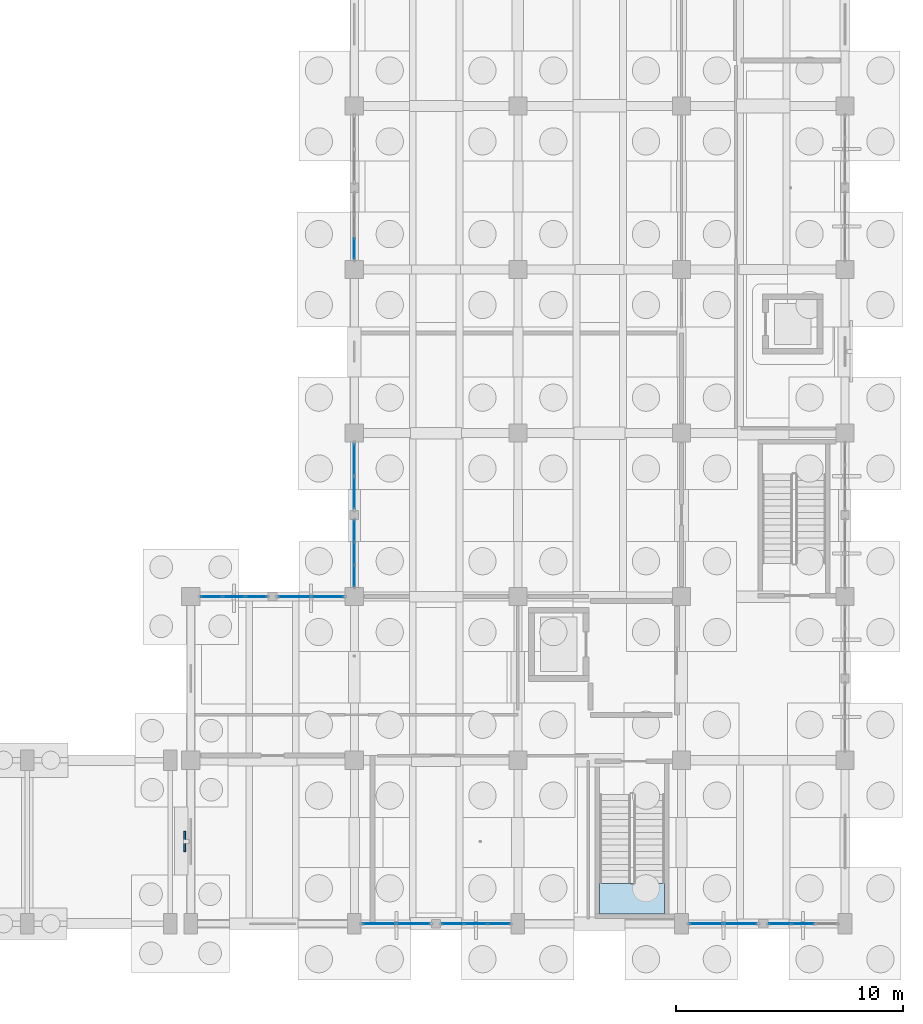
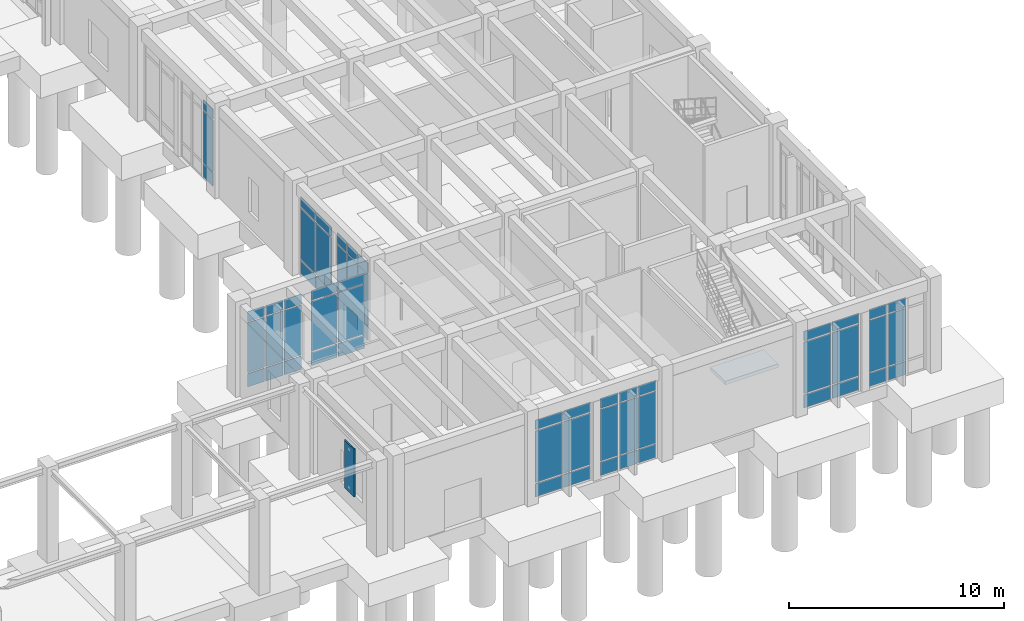
# One storey, part 56 of 93: 61 plates, 1 slab, 10 elements without a shape of their own.
"""IFC4 building model written with IfcOpenShell, lengths in metres."""

import ifcopenshell
import ifcopenshell.guid

model = None  # the IFC model being written
_history = None  # IfcOwnerHistory: only IFC2X3 demands one
_inside = {}  # id of a spatial element -> (the spatial element, [elements in it])
_under = {}  # id of a project, library or spatial element -> (it, [spatial elements below it])
_declared = {}  # id of a project -> (the project, [libraries it declares])
_typed = {}  # id of a type object -> (the type object, [elements of that type])
_made_of = {}  # id of a material, layer set ... -> (it, [elements and type objects made of it])


def new_model(schema):
    """Start an empty IFC model of exactly this schema.

    Asked for "IFC4X3", IfcOpenShell would pick the latest addendum, in which some entities
    have other attributes; the version numbers below select the first issue.
    IFC2X3 requires an IfcOwnerHistory on every rooted entity: one is made here for all.
    """
    global model, _history
    if schema == "IFC4X3":
        model = ifcopenshell.file(schema_version=(4, 3, 0, 0))
    else:
        model = ifcopenshell.file(schema=schema)
    _inside.clear()
    _under.clear()
    _declared.clear()
    _typed.clear()
    _made_of.clear()
    _history = None
    if model.schema == "IFC2X3":
        org = make("IfcOrganization", Name="unknown")
        user = make(
            "IfcPersonAndOrganization",
            ThePerson=make("IfcPerson", FamilyName="unknown"),
            TheOrganization=org,
        )
        app = make(
            "IfcApplication",
            ApplicationDeveloper=org,
            Version="unknown",
            ApplicationFullName="unknown",
            ApplicationIdentifier="unknown",
        )
        _history = make(
            "IfcOwnerHistory",
            OwningUser=user,
            OwningApplication=app,
            ChangeAction="ADDED",
            CreationDate=0,
        )
    return model


def make(cls, **values):
    """One entity of the class cls with the attributes given. An attribute that is None is left unset."""
    return model.create_entity(
        cls, **{name: value for name, value in values.items() if value is not None}
    )


def rooted(cls, **values):
    """An entity with a GlobalId (a new one), such as an element, a storey or a relation."""
    return make(cls, GlobalId=ifcopenshell.guid.new(), OwnerHistory=_history, **values)


def si_unit(unit_type, name, prefix=None):
    """IfcSIUnit, for example si_unit("LENGTHUNIT", "METRE", prefix="MILLI")."""
    return make("IfcSIUnit", UnitType=unit_type, Prefix=prefix, Name=name)


def assignment(units):
    """IfcUnitAssignment: the units of a project."""
    return None if units is None else make("IfcUnitAssignment", Units=units)


def point(xyz):
    """IfcCartesianPoint."""
    return None if xyz is None else make("IfcCartesianPoint", Coordinates=xyz)


def direction(xyz):
    """IfcDirection."""
    return None if xyz is None else make("IfcDirection", DirectionRatios=xyz)


def frame(location, z_axis=None, x_axis=None):
    """IfcAxis2Placement3D, a coordinate frame: its origin and axes. An axis left out is left unset."""
    return make(
        "IfcAxis2Placement3D",
        Location=point(location),
        Axis=direction(z_axis),
        RefDirection=direction(x_axis),
    )


def frame_2d(location, x_axis=None):
    """IfcAxis2Placement2D, a coordinate frame in the plane: its origin and x axis."""
    return make(
        "IfcAxis2Placement2D", Location=point(location), RefDirection=direction(x_axis)
    )


def origin():
    """The frame at (0, 0, 0) with its axes left unset."""
    return frame((0.0, 0.0, 0.0))


def origin_2d():
    """The frame at (0, 0) in the plane with its x axis left unset."""
    return frame_2d((0.0, 0.0))


def place(relative_to, where):
    """IfcLocalPlacement: puts the frame where relative to a parent placement (None: the world)."""
    return make(
        "IfcLocalPlacement", PlacementRelTo=relative_to, RelativePlacement=where
    )


def context(
    kind, dimensions, precision=None, world=None, true_north=None, identifier=None
):
    """IfcGeometricRepresentationContext, for example the 3D "Model" context."""
    return make(
        "IfcGeometricRepresentationContext",
        ContextIdentifier=identifier,
        ContextType=kind,
        CoordinateSpaceDimension=dimensions,
        Precision=precision,
        WorldCoordinateSystem=world,
        TrueNorth=true_north,
    )


def subcontext(parent, identifier, kind, view, scale=None):
    """IfcGeometricRepresentationSubContext, for example "Body" below "Model"."""
    return make(
        "IfcGeometricRepresentationSubContext",
        ContextIdentifier=identifier,
        ContextType=kind,
        ParentContext=parent,
        TargetScale=scale,
        TargetView=view,
    )


def project(units=None, contexts=None):
    """IfcProject with its units and contexts."""
    return rooted(
        "IfcProject",
        Name="project",
        RepresentationContexts=contexts,
        UnitsInContext=assignment(units),
    )


def spatial(cls, under=None, at=None, **own):
    """A site, building, storey or space (cls), placed at a placement, below another one or the project."""
    s = rooted(cls, ObjectPlacement=at, **own)
    if under is not None:
        _under.setdefault(under.id(), (under, []))[1].append(s)
    return s


def polyline(points):
    """IfcPolyline through the points."""
    return make("IfcPolyline", Points=[point(p) for p in points])


def profile(cls, at=None, kind="AREA", **sizes):
    """A parametric profile (cls). Its sizes go by their IFC names, for example OverallWidth=200.0."""
    return make(cls, ProfileType=kind, Position=at, **sizes)


def rectangle(**sizes):
    """IfcRectangleProfileDef."""
    return profile("IfcRectangleProfileDef", **sizes)


def outline(outer, holes=None, kind="AREA"):
    """IfcArbitraryClosedProfileDef: a profile drawn as a closed curve; with holes, ...WithVoids."""
    if holes is None:
        return make("IfcArbitraryClosedProfileDef", ProfileType=kind, OuterCurve=outer)
    return make(
        "IfcArbitraryProfileDefWithVoids",
        ProfileType=kind,
        OuterCurve=outer,
        InnerCurves=holes,
    )


def extrude(swept, where, along, depth):
    """IfcExtrudedAreaSolid: the profile swept, set in the frame where, extruded along a direction by depth."""
    return make(
        "IfcExtrudedAreaSolid",
        SweptArea=swept,
        Position=where,
        ExtrudedDirection=direction(along),
        Depth=depth,
    )


def shape(context_of_items, identifier, shape_type, items):
    """IfcShapeRepresentation: the items that make up one representation, for example the "Body"."""
    return make(
        "IfcShapeRepresentation",
        ContextOfItems=context_of_items,
        RepresentationIdentifier=identifier,
        RepresentationType=shape_type,
        Items=items,
    )


def material(Name=None, Category=None):
    """IfcMaterial."""
    return make("IfcMaterial", Name=Name, Category=Category)


def layer(
    of_material, thickness, ventilated=None, Name=None, Category=None, Priority=None
):
    """IfcMaterialLayer: one layer of a wall or slab, of a material (None: an air gap)."""
    return make(
        "IfcMaterialLayer",
        Material=of_material,
        LayerThickness=thickness,
        IsVentilated=ventilated,
        Name=Name,
        Category=Category,
        Priority=Priority,
    )


def layer_set(layers, Name=None):
    """IfcMaterialLayerSet."""
    return make("IfcMaterialLayerSet", MaterialLayers=layers, LayerSetName=Name)


def made_of(thing, what):
    """Note that an element or type object is made of a material, layer set ...; save() writes the relation."""
    if what is not None:
        _made_of.setdefault(what.id(), (what, []))[1].append(thing)
    return thing


def type_object(cls, material=None, **own):
    """A type object (cls), such as IfcWallType, which elements share."""
    return made_of(rooted(cls, **own), material)


def element(
    cls,
    number,
    at=None,
    inside=None,
    cuts=None,
    type_object=None,
    material=None,
    context=None,
    identifier="Body",
    shape_type=None,
    held_by="IfcProductDefinitionShape",
    body=None,
    shapes=None,
    **own,
):
    """One element of the class cls, such as IfcWall. Its Tag is "e" and its number.

    at: its placement. inside: the storey or other place that contains it. cuts: it is an
    opening in that element (IfcRelVoidsElement). A single representation is given by context,
    identifier, shape_type and body (its items); several are given by shapes. held_by: the class
    of the entity that holds the representations. save() writes the other relations.
    """
    e = rooted(cls, Tag="e%d" % number, ObjectPlacement=at, **own)
    if body is not None:
        shapes = [shape(context, identifier, shape_type, body)]
    if shapes is not None:
        e.Representation = make(held_by, Representations=shapes)
    if inside is not None:
        _inside.setdefault(inside.id(), (inside, []))[1].append(e)
    if cuts is not None:
        rooted(
            "IfcRelVoidsElement", RelatingBuildingElement=cuts, RelatedOpeningElement=e
        )
    if type_object is not None:
        _typed.setdefault(type_object.id(), (type_object, []))[1].append(e)
    return made_of(e, material)


def aggregate(whole, parts):
    """IfcRelAggregates: a whole, such as a stair, and the parts it consists of."""
    return rooted("IfcRelAggregates", RelatingObject=whole, RelatedObjects=parts)


def save(model, path):
    """Write the relations noted so far, then the file.

    IfcRelAggregates (storeys below a building ...), IfcRelContainedInSpatialStructure (elements
    in a storey), IfcRelDefinesByType, IfcRelAssociatesMaterial and IfcRelDeclares: one each for
    every whole, place, type object, material and project.
    """
    for whole, parts in _under.values():
        aggregate(whole, parts)
    for where, things in _inside.values():
        rooted(
            "IfcRelContainedInSpatialStructure",
            RelatedElements=things,
            RelatingStructure=where,
        )
    for kind, things in _typed.values():
        rooted("IfcRelDefinesByType", RelatedObjects=things, RelatingType=kind)
    for what, things in _made_of.values():
        rooted("IfcRelAssociatesMaterial", RelatedObjects=things, RelatingMaterial=what)
    for by, libraries in _declared.values():
        rooted("IfcRelDeclares", RelatingContext=by, RelatedDefinitions=libraries)
    model.write(path)


model = new_model("IFC4")

# Units and contexts
model_context = context("Model", 3, precision=1e-05, world=origin(), true_north=direction((0.0, 1.0)))
body_context = subcontext(model_context, "Body", "Model", "MODEL_VIEW")
ifc_project = project(units=[si_unit("LENGTHUNIT", "METRE"), si_unit("AREAUNIT", "SQUARE_METRE"), si_unit("VOLUMEUNIT", "CUBIC_METRE"), si_unit("PLANEANGLEUNIT", "RADIAN"), si_unit("MASSUNIT", "GRAM", prefix="KILO")], contexts=[model_context])

# Site, building, storey
site_placement = place(None, origin())
site = spatial("IfcSite", under=ifc_project, at=site_placement, CompositionType="ELEMENT")
building_placement = place(site_placement, origin())
building = spatial("IfcBuilding", under=site, at=building_placement, Name="Koriwan Promenade Central Fire Station", CompositionType="ELEMENT")
storey_placement = place(building_placement, origin())
storey = spatial("IfcBuildingStorey", under=building, at=storey_placement, Name="L00", CompositionType="ELEMENT", Elevation=0.0)

# Curtain wall, plates
ifc_material_1 = material(Name="Aluminium EN AW-6063-T6 and low-E glazing", Category="aluminium")
ifc_layer_1 = layer(ifc_material_1, 0.159912109375, Name="Aluminium EN AW-6063-T6 and low-E glazing")
ifc_layer_set_1 = layer_set([ifc_layer_1], Name="Aluminium EN AW-6063-T6 and low-E glazing")
curtain_wall_type_1 = type_object("IfcCurtainWallType", Name="CurtainWall_48_310x449", PredefinedType="USERDEFINED", material=ifc_layer_set_1)
curtain_wall_1_placement = place(storey_placement, origin())
curtain_wall_1 = element("IfcCurtainWall", 1, at=curtain_wall_1_placement, inside=storey, type_object=curtain_wall_type_1, Name="V5 L00 unitised curtain wall 129", ObjectType="UNITISED CURTAIN WALL", PredefinedType="USERDEFINED")
ifc_material_2 = material(Name="Blast-resistant laminated safety glazing", Category="glass")
ifc_layer_2 = layer(ifc_material_2, 0.035888671875, Name="Blast-resistant laminated safety glazing")
ifc_layer_set_2 = layer_set([ifc_layer_2], Name="Blast-resistant laminated safety glazing")
plate_type_1 = type_object("IfcPlateType", Name="CWPanel_36", PredefinedType="CURTAIN_PANEL", material=ifc_layer_set_2)
plate_1_placement = place(storey_placement, frame((170.949951171875, 0.0, 0.06494140625), z_axis=(0.0, 0.0, 1.0), x_axis=(-1.0, 0.0, 0.0)))
plate_1 = element("IfcPlate", 2, at=plate_1_placement, type_object=plate_type_1, Name="CW-48 panel 2.1", PredefinedType="CURTAIN_PANEL", context=body_context, shape_type="SweptSolid", body=[
    extrude(rectangle(XDim=0.96826171875, YDim=0.035888671875, at=origin_2d()), origin(), (0.0, 0.0, 1.0), 0.75244140625),
])
plate_2_placement = place(storey_placement, frame((170.949951171875, 0.0, 0.88232421875), z_axis=(0.0, 0.0, 1.0), x_axis=(-1.0, 0.0, 0.0)))
plate_2 = element("IfcPlate", 3, at=plate_2_placement, type_object=plate_type_1, Name="CW-48 panel 2.2", PredefinedType="CURTAIN_PANEL", context=body_context, shape_type="SweptSolid", body=[
    extrude(rectangle(XDim=0.96826171875, YDim=0.035888671875, at=origin_2d()), origin(), (0.0, 0.0, 1.0), 2.925048828125),
])
plate_3_placement = place(storey_placement, frame((170.949951171875, 0.0, 3.87255859375), z_axis=(0.0, 0.0, 1.0), x_axis=(-1.0, 0.0, 0.0)))
plate_3 = element("IfcPlate", 4, at=plate_3_placement, type_object=plate_type_1, Name="CW-48 panel 2.3", PredefinedType="CURTAIN_PANEL", context=body_context, shape_type="SweptSolid", body=[
    extrude(rectangle(XDim=0.96826171875, YDim=0.035888671875, at=origin_2d()), origin(), (0.0, 0.0, 1.0), 0.552490234375),
])
plate_4_placement = place(storey_placement, frame((169.932861328125, 0.0, 0.06494140625), z_axis=(0.0, 0.0, 1.0), x_axis=(-1.0, 0.0, 0.0)))
plate_4 = element("IfcPlate", 5, at=plate_4_placement, type_object=plate_type_1, Name="CW-48 panel 3.1", PredefinedType="CURTAIN_PANEL", context=body_context, shape_type="SweptSolid", body=[
    extrude(rectangle(XDim=0.935791015625, YDim=0.035888671875, at=origin_2d()), origin(), (0.0, 0.0, 1.0), 0.75244140625),
])
plate_5_placement = place(storey_placement, frame((169.932861328125, 0.0, 0.88232421875), z_axis=(0.0, 0.0, 1.0), x_axis=(-1.0, 0.0, 0.0)))
plate_5 = element("IfcPlate", 6, at=plate_5_placement, type_object=plate_type_1, Name="CW-48 panel 3.2", PredefinedType="CURTAIN_PANEL", context=body_context, shape_type="SweptSolid", body=[
    extrude(rectangle(XDim=0.935791015625, YDim=0.035888671875, at=origin_2d()), origin(), (0.0, 0.0, 1.0), 2.925048828125),
])
plate_6_placement = place(storey_placement, frame((169.932861328125, 0.0, 3.87255859375), z_axis=(0.0, 0.0, 1.0), x_axis=(-1.0, 0.0, 0.0)))
plate_6 = element("IfcPlate", 7, at=plate_6_placement, type_object=plate_type_1, Name="CW-48 panel 3.3", PredefinedType="CURTAIN_PANEL", context=body_context, shape_type="SweptSolid", body=[
    extrude(rectangle(XDim=0.935791015625, YDim=0.035888671875, at=origin_2d()), origin(), (0.0, 0.0, 1.0), 0.552490234375),
])
aggregate(curtain_wall_1, [plate_1, plate_2, plate_3, plate_4, plate_5, plate_6])

ifc_layer_3 = layer(ifc_material_1, 0.159912109375, Name="Aluminium EN AW-6063-T6 and low-E glazing")
ifc_layer_set_3 = layer_set([ifc_layer_3], Name="Aluminium EN AW-6063-T6 and low-E glazing")
curtain_wall_type_2 = type_object("IfcCurtainWallType", Name="CurtainWall_39_310x449", PredefinedType="USERDEFINED", material=ifc_layer_set_3)
curtain_wall_2_placement = place(storey_placement, origin())
curtain_wall_2 = element("IfcCurtainWall", 8, at=curtain_wall_2_placement, inside=storey, type_object=curtain_wall_type_2, Name="V5 L00 unitised curtain wall 130", ObjectType="UNITISED CURTAIN WALL", PredefinedType="USERDEFINED")
plate_7_placement = place(storey_placement, frame((168.206298828125, 0.0, 0.0751953125), z_axis=(0.0, 0.0, 1.0), x_axis=(-1.0, 0.0, 0.0)))
plate_7 = element("IfcPlate", 9, at=plate_7_placement, type_object=plate_type_1, Name="CW-39 panel 1.1", PredefinedType="CURTAIN_PANEL", context=body_context, shape_type="SweptSolid", body=[
    extrude(rectangle(XDim=1.4375, YDim=0.035888671875, at=origin_2d()), origin(), (0.0, 0.0, 1.0), 0.737548828125),
])
plate_8_placement = place(storey_placement, frame((168.206298828125, 0.0, 0.887451171875), z_axis=(0.0, 0.0, 1.0), x_axis=(-1.0, 0.0, 0.0)))
plate_8 = element("IfcPlate", 10, at=plate_8_placement, type_object=plate_type_1, Name="CW-39 panel 1.2", PredefinedType="CURTAIN_PANEL", context=body_context, shape_type="SweptSolid", body=[
    extrude(rectangle(XDim=1.4375, YDim=0.035888671875, at=origin_2d()), origin(), (0.0, 0.0, 1.0), 2.9150390625),
])
plate_9_placement = place(storey_placement, frame((168.206298828125, 0.0, 3.87744140625), z_axis=(0.0, 0.0, 1.0), x_axis=(-1.0, 0.0, 0.0)))
plate_9 = element("IfcPlate", 11, at=plate_9_placement, type_object=plate_type_1, Name="CW-39 panel 1.3", PredefinedType="CURTAIN_PANEL", context=body_context, shape_type="SweptSolid", body=[
    extrude(rectangle(XDim=1.4375, YDim=0.035888671875, at=origin_2d()), origin(), (0.0, 0.0, 1.0), 0.53759765625),
])
plate_10_placement = place(storey_placement, frame((166.69384765625, 0.0, 0.0751953125), z_axis=(0.0, 0.0, 1.0), x_axis=(-1.0, 0.0, 0.0)))
plate_10 = element("IfcPlate", 12, at=plate_10_placement, type_object=plate_type_1, Name="CW-39 panel 2.1", PredefinedType="CURTAIN_PANEL", context=body_context, shape_type="SweptSolid", body=[
    extrude(rectangle(XDim=1.4375, YDim=0.035888671875, at=origin_2d()), origin(), (0.0, 0.0, 1.0), 0.737548828125),
])
plate_11_placement = place(storey_placement, frame((166.69384765625, 0.0, 0.887451171875), z_axis=(0.0, 0.0, 1.0), x_axis=(-1.0, 0.0, 0.0)))
plate_11 = element("IfcPlate", 13, at=plate_11_placement, type_object=plate_type_1, Name="CW-39 panel 2.2", PredefinedType="CURTAIN_PANEL", context=body_context, shape_type="SweptSolid", body=[
    extrude(rectangle(XDim=1.4375, YDim=0.035888671875, at=origin_2d()), origin(), (0.0, 0.0, 1.0), 2.9150390625),
])
plate_12_placement = place(storey_placement, frame((166.69384765625, 0.0, 3.87744140625), z_axis=(0.0, 0.0, 1.0), x_axis=(-1.0, 0.0, 0.0)))
plate_12 = element("IfcPlate", 14, at=plate_12_placement, type_object=plate_type_1, Name="CW-39 panel 2.3", PredefinedType="CURTAIN_PANEL", context=body_context, shape_type="SweptSolid", body=[
    extrude(rectangle(XDim=1.4375, YDim=0.035888671875, at=origin_2d()), origin(), (0.0, 0.0, 1.0), 0.53759765625),
])
aggregate(curtain_wall_2, [plate_7, plate_8, plate_9, plate_10, plate_11, plate_12])

curtain_wall_3_placement = place(storey_placement, origin())
curtain_wall_3 = element("IfcCurtainWall", 15, at=curtain_wall_3_placement, inside=storey, type_object=curtain_wall_type_1, Name="V5 L00 unitised curtain wall 131", ObjectType="UNITISED CURTAIN WALL", PredefinedType="USERDEFINED")
plate_13_placement = place(storey_placement, frame((157.567138671875, 0.0, 0.06494140625), z_axis=(0.0, 0.0, 1.0), x_axis=(-1.0, 0.0, 0.0)))
plate_13 = element("IfcPlate", 16, at=plate_13_placement, type_object=plate_type_1, Name="CW-48 panel 1.1", PredefinedType="CURTAIN_PANEL", context=body_context, shape_type="SweptSolid", body=[
    extrude(rectangle(XDim=0.935791015625, YDim=0.035888671875, at=origin_2d()), origin(), (0.0, 0.0, 1.0), 0.75244140625),
])
plate_14_placement = place(storey_placement, frame((157.567138671875, 0.0, 0.88232421875), z_axis=(0.0, 0.0, 1.0), x_axis=(-1.0, 0.0, 0.0)))
plate_14 = element("IfcPlate", 17, at=plate_14_placement, type_object=plate_type_1, Name="CW-48 panel 1.2", PredefinedType="CURTAIN_PANEL", context=body_context, shape_type="SweptSolid", body=[
    extrude(rectangle(XDim=0.935791015625, YDim=0.035888671875, at=origin_2d()), origin(), (0.0, 0.0, 1.0), 2.925048828125),
])
plate_15_placement = place(storey_placement, frame((157.567138671875, 0.0, 3.87255859375), z_axis=(0.0, 0.0, 1.0), x_axis=(-1.0, 0.0, 0.0)))
plate_15 = element("IfcPlate", 18, at=plate_15_placement, type_object=plate_type_1, Name="CW-48 panel 1.3", PredefinedType="CURTAIN_PANEL", context=body_context, shape_type="SweptSolid", body=[
    extrude(rectangle(XDim=0.935791015625, YDim=0.035888671875, at=origin_2d()), origin(), (0.0, 0.0, 1.0), 0.552490234375),
])
plate_16_placement = place(storey_placement, frame((156.550048828125, 0.0, 0.06494140625), z_axis=(0.0, 0.0, 1.0), x_axis=(-1.0, 0.0, 0.0)))
plate_16 = element("IfcPlate", 19, at=plate_16_placement, type_object=plate_type_1, Name="CW-48 panel 2.1", PredefinedType="CURTAIN_PANEL", context=body_context, shape_type="SweptSolid", body=[
    extrude(rectangle(XDim=0.96826171875, YDim=0.035888671875, at=origin_2d()), origin(), (0.0, 0.0, 1.0), 0.75244140625),
])
plate_17_placement = place(storey_placement, frame((156.550048828125, 0.0, 0.88232421875), z_axis=(0.0, 0.0, 1.0), x_axis=(-1.0, 0.0, 0.0)))
plate_17 = element("IfcPlate", 20, at=plate_17_placement, type_object=plate_type_1, Name="CW-48 panel 2.2", PredefinedType="CURTAIN_PANEL", context=body_context, shape_type="SweptSolid", body=[
    extrude(rectangle(XDim=0.96826171875, YDim=0.035888671875, at=origin_2d()), origin(), (0.0, 0.0, 1.0), 2.925048828125),
])
plate_18_placement = place(storey_placement, frame((156.550048828125, 0.0, 3.87255859375), z_axis=(0.0, 0.0, 1.0), x_axis=(-1.0, 0.0, 0.0)))
plate_18 = element("IfcPlate", 21, at=plate_18_placement, type_object=plate_type_1, Name="CW-48 panel 2.3", PredefinedType="CURTAIN_PANEL", context=body_context, shape_type="SweptSolid", body=[
    extrude(rectangle(XDim=0.96826171875, YDim=0.035888671875, at=origin_2d()), origin(), (0.0, 0.0, 1.0), 0.552490234375),
])
plate_19_placement = place(storey_placement, frame((155.532958984375, 0.0, 0.06494140625), z_axis=(0.0, 0.0, 1.0), x_axis=(-1.0, 0.0, 0.0)))
plate_19 = element("IfcPlate", 22, at=plate_19_placement, type_object=plate_type_1, Name="CW-48 panel 3.1", PredefinedType="CURTAIN_PANEL", context=body_context, shape_type="SweptSolid", body=[
    extrude(rectangle(XDim=0.935791015625, YDim=0.035888671875, at=origin_2d()), origin(), (0.0, 0.0, 1.0), 0.75244140625),
])
plate_20_placement = place(storey_placement, frame((155.532958984375, 0.0, 0.88232421875), z_axis=(0.0, 0.0, 1.0), x_axis=(-1.0, 0.0, 0.0)))
plate_20 = element("IfcPlate", 23, at=plate_20_placement, type_object=plate_type_1, Name="CW-48 panel 3.2", PredefinedType="CURTAIN_PANEL", context=body_context, shape_type="SweptSolid", body=[
    extrude(rectangle(XDim=0.935791015625, YDim=0.035888671875, at=origin_2d()), origin(), (0.0, 0.0, 1.0), 2.925048828125),
])
plate_21_placement = place(storey_placement, frame((155.532958984375, 0.0, 3.87255859375), z_axis=(0.0, 0.0, 1.0), x_axis=(-1.0, 0.0, 0.0)))
plate_21 = element("IfcPlate", 24, at=plate_21_placement, type_object=plate_type_1, Name="CW-48 panel 3.3", PredefinedType="CURTAIN_PANEL", context=body_context, shape_type="SweptSolid", body=[
    extrude(rectangle(XDim=0.935791015625, YDim=0.035888671875, at=origin_2d()), origin(), (0.0, 0.0, 1.0), 0.552490234375),
])
aggregate(curtain_wall_3, [plate_13, plate_14, plate_15, plate_16, plate_17, plate_18, plate_19, plate_20, plate_21])

curtain_wall_4_placement = place(storey_placement, origin())
curtain_wall_4 = element("IfcCurtainWall", 25, at=curtain_wall_4_placement, inside=storey, type_object=curtain_wall_type_2, Name="V5 L00 unitised curtain wall 132", ObjectType="UNITISED CURTAIN WALL", PredefinedType="USERDEFINED")
plate_22_placement = place(storey_placement, frame((153.80615234375, 0.0, 0.0751953125), z_axis=(0.0, 0.0, 1.0), x_axis=(-1.0, 0.0, 0.0)))
plate_22 = element("IfcPlate", 26, at=plate_22_placement, type_object=plate_type_1, Name="CW-39 panel 1.1", PredefinedType="CURTAIN_PANEL", context=body_context, shape_type="SweptSolid", body=[
    extrude(rectangle(XDim=1.4375, YDim=0.035888671875, at=origin_2d()), origin(), (0.0, 0.0, 1.0), 0.737548828125),
])
plate_23_placement = place(storey_placement, frame((153.80615234375, 0.0, 0.887451171875), z_axis=(0.0, 0.0, 1.0), x_axis=(-1.0, 0.0, 0.0)))
plate_23 = element("IfcPlate", 27, at=plate_23_placement, type_object=plate_type_1, Name="CW-39 panel 1.2", PredefinedType="CURTAIN_PANEL", context=body_context, shape_type="SweptSolid", body=[
    extrude(rectangle(XDim=1.4375, YDim=0.035888671875, at=origin_2d()), origin(), (0.0, 0.0, 1.0), 2.9150390625),
])
plate_24_placement = place(storey_placement, frame((153.80615234375, 0.0, 3.87744140625), z_axis=(0.0, 0.0, 1.0), x_axis=(-1.0, 0.0, 0.0)))
plate_24 = element("IfcPlate", 28, at=plate_24_placement, type_object=plate_type_1, Name="CW-39 panel 1.3", PredefinedType="CURTAIN_PANEL", context=body_context, shape_type="SweptSolid", body=[
    extrude(rectangle(XDim=1.4375, YDim=0.035888671875, at=origin_2d()), origin(), (0.0, 0.0, 1.0), 0.53759765625),
])
plate_25_placement = place(storey_placement, frame((152.293701171875, 0.0, 0.0751953125), z_axis=(0.0, 0.0, 1.0), x_axis=(-1.0, 0.0, 0.0)))
plate_25 = element("IfcPlate", 29, at=plate_25_placement, type_object=plate_type_1, Name="CW-39 panel 2.1", PredefinedType="CURTAIN_PANEL", context=body_context, shape_type="SweptSolid", body=[
    extrude(rectangle(XDim=1.4375, YDim=0.035888671875, at=origin_2d()), origin(), (0.0, 0.0, 1.0), 0.737548828125),
])
plate_26_placement = place(storey_placement, frame((152.293701171875, 0.0, 0.887451171875), z_axis=(0.0, 0.0, 1.0), x_axis=(-1.0, 0.0, 0.0)))
plate_26 = element("IfcPlate", 30, at=plate_26_placement, type_object=plate_type_1, Name="CW-39 panel 2.2", PredefinedType="CURTAIN_PANEL", context=body_context, shape_type="SweptSolid", body=[
    extrude(rectangle(XDim=1.4375, YDim=0.035888671875, at=origin_2d()), origin(), (0.0, 0.0, 1.0), 2.9150390625),
])
plate_27_placement = place(storey_placement, frame((152.293701171875, 0.0, 3.87744140625), z_axis=(0.0, 0.0, 1.0), x_axis=(-1.0, 0.0, 0.0)))
plate_27 = element("IfcPlate", 31, at=plate_27_placement, type_object=plate_type_1, Name="CW-39 panel 2.3", PredefinedType="CURTAIN_PANEL", context=body_context, shape_type="SweptSolid", body=[
    extrude(rectangle(XDim=1.4375, YDim=0.035888671875, at=origin_2d()), origin(), (0.0, 0.0, 1.0), 0.53759765625),
])
aggregate(curtain_wall_4, [plate_22, plate_23, plate_24, plate_25, plate_26, plate_27])

ifc_layer_4 = layer(ifc_material_1, 0.159912109375, Name="Aluminium EN AW-6063-T6 and low-E glazing")
ifc_layer_set_4 = layer_set([ifc_layer_4], Name="Aluminium EN AW-6063-T6 and low-E glazing")
curtain_wall_type_3 = type_object("IfcCurtainWallType", Name="CurtainWall_49_300x439", PredefinedType="USERDEFINED", material=ifc_layer_set_4)
curtain_wall_5_placement = place(storey_placement, origin())
curtain_wall_5 = element("IfcCurtainWall", 32, at=curtain_wall_5_placement, inside=storey, type_object=curtain_wall_type_3, Name="V5 L00 unitised curtain wall 133", ObjectType="UNITISED CURTAIN WALL", PredefinedType="USERDEFINED")
plate_28_placement = place(storey_placement, frame((144.916259765625, 14.39990234375, 0.06494140625), z_axis=(0.0, 0.0, 1.0), x_axis=(1.0, 0.0, 0.0)))
plate_28 = element("IfcPlate", 33, at=plate_28_placement, type_object=plate_type_1, Name="CW-49 panel 1.1", PredefinedType="CURTAIN_PANEL", context=body_context, shape_type="SweptSolid", body=[
    extrude(rectangle(XDim=0.902587890625, YDim=0.035888671875, at=origin_2d()), origin(), (0.0, 0.0, 1.0), 0.75244140625),
])
plate_29_placement = place(storey_placement, frame((144.916259765625, 14.39990234375, 0.88232421875), z_axis=(0.0, 0.0, 1.0), x_axis=(1.0, 0.0, 0.0)))
plate_29 = element("IfcPlate", 34, at=plate_29_placement, type_object=plate_type_1, Name="CW-49 panel 1.2", PredefinedType="CURTAIN_PANEL", context=body_context, shape_type="SweptSolid", body=[
    extrude(rectangle(XDim=0.902587890625, YDim=0.035888671875, at=origin_2d()), origin(), (0.0, 0.0, 1.0), 2.824951171875),
])
plate_30_placement = place(storey_placement, frame((144.916259765625, 14.39990234375, 3.7724609375), z_axis=(0.0, 0.0, 1.0), x_axis=(1.0, 0.0, 0.0)))
plate_30 = element("IfcPlate", 35, at=plate_30_placement, type_object=plate_type_1, Name="CW-49 panel 1.3", PredefinedType="CURTAIN_PANEL", context=body_context, shape_type="SweptSolid", body=[
    extrude(rectangle(XDim=0.902587890625, YDim=0.035888671875, at=origin_2d()), origin(), (0.0, 0.0, 1.0), 0.552490234375),
])
plate_31_placement = place(storey_placement, frame((145.89990234375, 14.39990234375, 0.06494140625), z_axis=(0.0, 0.0, 1.0), x_axis=(1.0, 0.0, 0.0)))
plate_31 = element("IfcPlate", 36, at=plate_31_placement, type_object=plate_type_1, Name="CW-49 panel 2.1", PredefinedType="CURTAIN_PANEL", context=body_context, shape_type="SweptSolid", body=[
    extrude(rectangle(XDim=0.93505859375, YDim=0.035888671875, at=origin_2d()), origin(), (0.0, 0.0, 1.0), 0.75244140625),
])
plate_32_placement = place(storey_placement, frame((145.89990234375, 14.39990234375, 0.88232421875), z_axis=(0.0, 0.0, 1.0), x_axis=(1.0, 0.0, 0.0)))
plate_32 = element("IfcPlate", 37, at=plate_32_placement, type_object=plate_type_1, Name="CW-49 panel 2.2", PredefinedType="CURTAIN_PANEL", context=body_context, shape_type="SweptSolid", body=[
    extrude(rectangle(XDim=0.93505859375, YDim=0.035888671875, at=origin_2d()), origin(), (0.0, 0.0, 1.0), 2.824951171875),
])
plate_33_placement = place(storey_placement, frame((145.89990234375, 14.39990234375, 3.7724609375), z_axis=(0.0, 0.0, 1.0), x_axis=(1.0, 0.0, 0.0)))
plate_33 = element("IfcPlate", 38, at=plate_33_placement, type_object=plate_type_1, Name="CW-49 panel 2.3", PredefinedType="CURTAIN_PANEL", context=body_context, shape_type="SweptSolid", body=[
    extrude(rectangle(XDim=0.93505859375, YDim=0.035888671875, at=origin_2d()), origin(), (0.0, 0.0, 1.0), 0.552490234375),
])
plate_34_placement = place(storey_placement, frame((146.8837890625, 14.39990234375, 0.06494140625), z_axis=(0.0, 0.0, 1.0), x_axis=(1.0, 0.0, 0.0)))
plate_34 = element("IfcPlate", 39, at=plate_34_placement, type_object=plate_type_1, Name="CW-49 panel 3.1", PredefinedType="CURTAIN_PANEL", context=body_context, shape_type="SweptSolid", body=[
    extrude(rectangle(XDim=0.902587890625, YDim=0.035888671875, at=origin_2d()), origin(), (0.0, 0.0, 1.0), 0.75244140625),
])
plate_35_placement = place(storey_placement, frame((146.8837890625, 14.39990234375, 0.88232421875), z_axis=(0.0, 0.0, 1.0), x_axis=(1.0, 0.0, 0.0)))
plate_35 = element("IfcPlate", 40, at=plate_35_placement, type_object=plate_type_1, Name="CW-49 panel 3.2", PredefinedType="CURTAIN_PANEL", context=body_context, shape_type="SweptSolid", body=[
    extrude(rectangle(XDim=0.902587890625, YDim=0.035888671875, at=origin_2d()), origin(), (0.0, 0.0, 1.0), 2.824951171875),
])
plate_36_placement = place(storey_placement, frame((146.8837890625, 14.39990234375, 3.7724609375), z_axis=(0.0, 0.0, 1.0), x_axis=(1.0, 0.0, 0.0)))
plate_36 = element("IfcPlate", 41, at=plate_36_placement, type_object=plate_type_1, Name="CW-49 panel 3.3", PredefinedType="CURTAIN_PANEL", context=body_context, shape_type="SweptSolid", body=[
    extrude(rectangle(XDim=0.902587890625, YDim=0.035888671875, at=origin_2d()), origin(), (0.0, 0.0, 1.0), 0.552490234375),
])
aggregate(curtain_wall_5, [plate_28, plate_29, plate_30, plate_31, plate_32, plate_33, plate_34, plate_35, plate_36])

ifc_layer_5 = layer(ifc_material_1, 0.159912109375, Name="Aluminium EN AW-6063-T6 and low-E glazing")
ifc_layer_set_5 = layer_set([ifc_layer_5], Name="Aluminium EN AW-6063-T6 and low-E glazing")
curtain_wall_type_4 = type_object("IfcCurtainWallType", Name="CurtainWall_50_300x439", PredefinedType="USERDEFINED", material=ifc_layer_set_5)
curtain_wall_6_placement = place(storey_placement, origin())
curtain_wall_6 = element("IfcCurtainWall", 42, at=curtain_wall_6_placement, inside=storey, type_object=curtain_wall_type_4, Name="V5 L00 unitised curtain wall 134", ObjectType="UNITISED CURTAIN WALL", PredefinedType="USERDEFINED")
plate_37_placement = place(storey_placement, frame((148.56884765625, 14.39990234375, 0.0751953125), z_axis=(0.0, 0.0, 1.0), x_axis=(1.0, 0.0, 0.0)))
plate_37 = element("IfcPlate", 43, at=plate_37_placement, type_object=plate_type_1, Name="CW-50 panel 1.1", PredefinedType="CURTAIN_PANEL", context=body_context, shape_type="SweptSolid", body=[
    extrude(rectangle(XDim=1.387451171875, YDim=0.035888671875, at=origin_2d()), origin(), (0.0, 0.0, 1.0), 0.737548828125),
])
plate_38_placement = place(storey_placement, frame((148.56884765625, 14.39990234375, 0.887451171875), z_axis=(0.0, 0.0, 1.0), x_axis=(1.0, 0.0, 0.0)))
plate_38 = element("IfcPlate", 44, at=plate_38_placement, type_object=plate_type_1, Name="CW-50 panel 1.2", PredefinedType="CURTAIN_PANEL", context=body_context, shape_type="SweptSolid", body=[
    extrude(rectangle(XDim=1.387451171875, YDim=0.035888671875, at=origin_2d()), origin(), (0.0, 0.0, 1.0), 2.81494140625),
])
plate_39_placement = place(storey_placement, frame((148.56884765625, 14.39990234375, 3.77734375), z_axis=(0.0, 0.0, 1.0), x_axis=(1.0, 0.0, 0.0)))
plate_39 = element("IfcPlate", 45, at=plate_39_placement, type_object=plate_type_1, Name="CW-50 panel 1.3", PredefinedType="CURTAIN_PANEL", context=body_context, shape_type="SweptSolid", body=[
    extrude(rectangle(XDim=1.387451171875, YDim=0.035888671875, at=origin_2d()), origin(), (0.0, 0.0, 1.0), 0.53759765625),
])
plate_40_placement = place(storey_placement, frame((150.03125, 14.39990234375, 0.0751953125), z_axis=(0.0, 0.0, 1.0), x_axis=(1.0, 0.0, 0.0)))
plate_40 = element("IfcPlate", 46, at=plate_40_placement, type_object=plate_type_1, Name="CW-50 panel 2.1", PredefinedType="CURTAIN_PANEL", context=body_context, shape_type="SweptSolid", body=[
    extrude(rectangle(XDim=1.387451171875, YDim=0.035888671875, at=origin_2d()), origin(), (0.0, 0.0, 1.0), 0.737548828125),
])
plate_41_placement = place(storey_placement, frame((150.03125, 14.39990234375, 0.887451171875), z_axis=(0.0, 0.0, 1.0), x_axis=(1.0, 0.0, 0.0)))
plate_41 = element("IfcPlate", 47, at=plate_41_placement, type_object=plate_type_1, Name="CW-50 panel 2.2", PredefinedType="CURTAIN_PANEL", context=body_context, shape_type="SweptSolid", body=[
    extrude(rectangle(XDim=1.387451171875, YDim=0.035888671875, at=origin_2d()), origin(), (0.0, 0.0, 1.0), 2.81494140625),
])
plate_42_placement = place(storey_placement, frame((150.03125, 14.39990234375, 3.77734375), z_axis=(0.0, 0.0, 1.0), x_axis=(1.0, 0.0, 0.0)))
plate_42 = element("IfcPlate", 48, at=plate_42_placement, type_object=plate_type_1, Name="CW-50 panel 2.3", PredefinedType="CURTAIN_PANEL", context=body_context, shape_type="SweptSolid", body=[
    extrude(rectangle(XDim=1.387451171875, YDim=0.035888671875, at=origin_2d()), origin(), (0.0, 0.0, 1.0), 0.53759765625),
])
aggregate(curtain_wall_6, [plate_37, plate_38, plate_39, plate_40, plate_41, plate_42])

ifc_layer_6 = layer(ifc_material_1, 0.159912109375, Name="Aluminium EN AW-6063-T6 and low-E glazing")
ifc_layer_set_6 = layer_set([ifc_layer_6], Name="Aluminium EN AW-6063-T6 and low-E glazing")
curtain_wall_type_5 = type_object("IfcCurtainWallType", Name="CurtainWall_51_300x449", PredefinedType="USERDEFINED", material=ifc_layer_set_6)
curtain_wall_7_placement = place(storey_placement, origin())
curtain_wall_7 = element("IfcCurtainWall", 49, at=curtain_wall_7_placement, inside=storey, type_object=curtain_wall_type_5, Name="V5 L00 unitised curtain wall 135", ObjectType="UNITISED CURTAIN WALL", PredefinedType="USERDEFINED")
plate_43_placement = place(storey_placement, frame((151.199951171875, 15.316162109375, 0.06494140625), z_axis=(0.0, 0.0, 1.0), x_axis=(0.0, 1.0, 0.0)))
plate_43 = element("IfcPlate", 50, at=plate_43_placement, type_object=plate_type_1, Name="CW-51 panel 1.1", PredefinedType="CURTAIN_PANEL", context=body_context, shape_type="SweptSolid", body=[
    extrude(rectangle(XDim=0.902587890625, YDim=0.035888671875, at=origin_2d()), origin(), (0.0, 0.0, 1.0), 0.75244140625),
])
plate_44_placement = place(storey_placement, frame((151.199951171875, 15.316162109375, 0.88232421875), z_axis=(0.0, 0.0, 1.0), x_axis=(0.0, 1.0, 0.0)))
plate_44 = element("IfcPlate", 51, at=plate_44_placement, type_object=plate_type_1, Name="CW-51 panel 1.2", PredefinedType="CURTAIN_PANEL", context=body_context, shape_type="SweptSolid", body=[
    extrude(rectangle(XDim=0.902587890625, YDim=0.035888671875, at=origin_2d()), origin(), (0.0, 0.0, 1.0), 2.925048828125),
])
plate_45_placement = place(storey_placement, frame((151.199951171875, 15.316162109375, 3.87255859375), z_axis=(0.0, 0.0, 1.0), x_axis=(0.0, 1.0, 0.0)))
plate_45 = element("IfcPlate", 52, at=plate_45_placement, type_object=plate_type_1, Name="CW-51 panel 1.3", PredefinedType="CURTAIN_PANEL", context=body_context, shape_type="SweptSolid", body=[
    extrude(rectangle(XDim=0.902587890625, YDim=0.035888671875, at=origin_2d()), origin(), (0.0, 0.0, 1.0), 0.552490234375),
])
plate_46_placement = place(storey_placement, frame((151.199951171875, 16.300048828125, 0.06494140625), z_axis=(0.0, 0.0, 1.0), x_axis=(0.0, 1.0, 0.0)))
plate_46 = element("IfcPlate", 53, at=plate_46_placement, type_object=plate_type_1, Name="CW-51 panel 2.1", PredefinedType="CURTAIN_PANEL", context=body_context, shape_type="SweptSolid", body=[
    extrude(rectangle(XDim=0.93505859375, YDim=0.035888671875, at=origin_2d()), origin(), (0.0, 0.0, 1.0), 0.75244140625),
])
plate_47_placement = place(storey_placement, frame((151.199951171875, 16.300048828125, 0.88232421875), z_axis=(0.0, 0.0, 1.0), x_axis=(0.0, 1.0, 0.0)))
plate_47 = element("IfcPlate", 54, at=plate_47_placement, type_object=plate_type_1, Name="CW-51 panel 2.2", PredefinedType="CURTAIN_PANEL", context=body_context, shape_type="SweptSolid", body=[
    extrude(rectangle(XDim=0.93505859375, YDim=0.035888671875, at=origin_2d()), origin(), (0.0, 0.0, 1.0), 2.925048828125),
])
plate_48_placement = place(storey_placement, frame((151.199951171875, 16.300048828125, 3.87255859375), z_axis=(0.0, 0.0, 1.0), x_axis=(0.0, 1.0, 0.0)))
plate_48 = element("IfcPlate", 55, at=plate_48_placement, type_object=plate_type_1, Name="CW-51 panel 2.3", PredefinedType="CURTAIN_PANEL", context=body_context, shape_type="SweptSolid", body=[
    extrude(rectangle(XDim=0.93505859375, YDim=0.035888671875, at=origin_2d()), origin(), (0.0, 0.0, 1.0), 0.552490234375),
])
plate_49_placement = place(storey_placement, frame((151.199951171875, 17.28369140625, 0.06494140625), z_axis=(0.0, 0.0, 1.0), x_axis=(0.0, 1.0, 0.0)))
plate_49 = element("IfcPlate", 56, at=plate_49_placement, type_object=plate_type_1, Name="CW-51 panel 3.1", PredefinedType="CURTAIN_PANEL", context=body_context, shape_type="SweptSolid", body=[
    extrude(rectangle(XDim=0.902587890625, YDim=0.035888671875, at=origin_2d()), origin(), (0.0, 0.0, 1.0), 0.75244140625),
])
plate_50_placement = place(storey_placement, frame((151.199951171875, 17.28369140625, 0.88232421875), z_axis=(0.0, 0.0, 1.0), x_axis=(0.0, 1.0, 0.0)))
plate_50 = element("IfcPlate", 57, at=plate_50_placement, type_object=plate_type_1, Name="CW-51 panel 3.2", PredefinedType="CURTAIN_PANEL", context=body_context, shape_type="SweptSolid", body=[
    extrude(rectangle(XDim=0.902587890625, YDim=0.035888671875, at=origin_2d()), origin(), (0.0, 0.0, 1.0), 2.925048828125),
])
plate_51_placement = place(storey_placement, frame((151.199951171875, 17.28369140625, 3.87255859375), z_axis=(0.0, 0.0, 1.0), x_axis=(0.0, 1.0, 0.0)))
plate_51 = element("IfcPlate", 58, at=plate_51_placement, type_object=plate_type_1, Name="CW-51 panel 3.3", PredefinedType="CURTAIN_PANEL", context=body_context, shape_type="SweptSolid", body=[
    extrude(rectangle(XDim=0.902587890625, YDim=0.035888671875, at=origin_2d()), origin(), (0.0, 0.0, 1.0), 0.552490234375),
])
aggregate(curtain_wall_7, [plate_43, plate_44, plate_45, plate_46, plate_47, plate_48, plate_49, plate_50, plate_51])

ifc_layer_7 = layer(ifc_material_1, 0.159912109375, Name="Aluminium EN AW-6063-T6 and low-E glazing")
ifc_layer_set_7 = layer_set([ifc_layer_7], Name="Aluminium EN AW-6063-T6 and low-E glazing")
curtain_wall_type_6 = type_object("IfcCurtainWallType", Name="CurtainWall_52_300x449", PredefinedType="USERDEFINED", material=ifc_layer_set_7)
curtain_wall_8_placement = place(storey_placement, origin())
curtain_wall_8 = element("IfcCurtainWall", 59, at=curtain_wall_8_placement, inside=storey, type_object=curtain_wall_type_6, Name="V5 L00 unitised curtain wall 136", ObjectType="UNITISED CURTAIN WALL", PredefinedType="USERDEFINED")
plate_52_placement = place(storey_placement, frame((151.199951171875, 18.96875, 0.0751953125), z_axis=(0.0, 0.0, 1.0), x_axis=(0.0, 1.0, 0.0)))
plate_52 = element("IfcPlate", 60, at=plate_52_placement, type_object=plate_type_1, Name="CW-52 panel 1.1", PredefinedType="CURTAIN_PANEL", context=body_context, shape_type="SweptSolid", body=[
    extrude(rectangle(XDim=1.387451171875, YDim=0.035888671875, at=origin_2d()), origin(), (0.0, 0.0, 1.0), 0.737548828125),
])
plate_53_placement = place(storey_placement, frame((151.199951171875, 18.96875, 0.887451171875), z_axis=(0.0, 0.0, 1.0), x_axis=(0.0, 1.0, 0.0)))
plate_53 = element("IfcPlate", 61, at=plate_53_placement, type_object=plate_type_1, Name="CW-52 panel 1.2", PredefinedType="CURTAIN_PANEL", context=body_context, shape_type="SweptSolid", body=[
    extrude(rectangle(XDim=1.387451171875, YDim=0.035888671875, at=origin_2d()), origin(), (0.0, 0.0, 1.0), 2.9150390625),
])
plate_54_placement = place(storey_placement, frame((151.199951171875, 18.96875, 3.87744140625), z_axis=(0.0, 0.0, 1.0), x_axis=(0.0, 1.0, 0.0)))
plate_54 = element("IfcPlate", 62, at=plate_54_placement, type_object=plate_type_1, Name="CW-52 panel 1.3", PredefinedType="CURTAIN_PANEL", context=body_context, shape_type="SweptSolid", body=[
    extrude(rectangle(XDim=1.387451171875, YDim=0.035888671875, at=origin_2d()), origin(), (0.0, 0.0, 1.0), 0.53759765625),
])
plate_55_placement = place(storey_placement, frame((151.199951171875, 20.43115234375, 0.0751953125), z_axis=(0.0, 0.0, 1.0), x_axis=(0.0, 1.0, 0.0)))
plate_55 = element("IfcPlate", 63, at=plate_55_placement, type_object=plate_type_1, Name="CW-52 panel 2.1", PredefinedType="CURTAIN_PANEL", context=body_context, shape_type="SweptSolid", body=[
    extrude(rectangle(XDim=1.387451171875, YDim=0.035888671875, at=origin_2d()), origin(), (0.0, 0.0, 1.0), 0.737548828125),
])
plate_56_placement = place(storey_placement, frame((151.199951171875, 20.43115234375, 0.887451171875), z_axis=(0.0, 0.0, 1.0), x_axis=(0.0, 1.0, 0.0)))
plate_56 = element("IfcPlate", 64, at=plate_56_placement, type_object=plate_type_1, Name="CW-52 panel 2.2", PredefinedType="CURTAIN_PANEL", context=body_context, shape_type="SweptSolid", body=[
    extrude(rectangle(XDim=1.387451171875, YDim=0.035888671875, at=origin_2d()), origin(), (0.0, 0.0, 1.0), 2.9150390625),
])
plate_57_placement = place(storey_placement, frame((151.199951171875, 20.43115234375, 3.87744140625), z_axis=(0.0, 0.0, 1.0), x_axis=(0.0, 1.0, 0.0)))
plate_57 = element("IfcPlate", 65, at=plate_57_placement, type_object=plate_type_1, Name="CW-52 panel 2.3", PredefinedType="CURTAIN_PANEL", context=body_context, shape_type="SweptSolid", body=[
    extrude(rectangle(XDim=1.387451171875, YDim=0.035888671875, at=origin_2d()), origin(), (0.0, 0.0, 1.0), 0.53759765625),
])
aggregate(curtain_wall_8, [plate_52, plate_53, plate_54, plate_55, plate_56, plate_57])

curtain_wall_9_placement = place(storey_placement, origin())
curtain_wall_9 = element("IfcCurtainWall", 66, at=curtain_wall_9_placement, inside=storey, type_object=curtain_wall_type_5, Name="V5 L00 unitised curtain wall 137", ObjectType="UNITISED CURTAIN WALL", PredefinedType="USERDEFINED")
plate_58_placement = place(storey_placement, frame((151.199951171875, 29.71630859375, 0.06494140625), z_axis=(0.0, 0.0, 1.0), x_axis=(0.0, 1.0, 0.0)))
plate_58 = element("IfcPlate", 67, at=plate_58_placement, type_object=plate_type_1, Name="CW-51 panel 1.1", PredefinedType="CURTAIN_PANEL", context=body_context, shape_type="SweptSolid", body=[
    extrude(rectangle(XDim=0.902587890625, YDim=0.035888671875, at=origin_2d()), origin(), (0.0, 0.0, 1.0), 0.75244140625),
])
plate_59_placement = place(storey_placement, frame((151.199951171875, 29.71630859375, 0.88232421875), z_axis=(0.0, 0.0, 1.0), x_axis=(0.0, 1.0, 0.0)))
plate_59 = element("IfcPlate", 68, at=plate_59_placement, type_object=plate_type_1, Name="CW-51 panel 1.2", PredefinedType="CURTAIN_PANEL", context=body_context, shape_type="SweptSolid", body=[
    extrude(rectangle(XDim=0.902587890625, YDim=0.035888671875, at=origin_2d()), origin(), (0.0, 0.0, 1.0), 2.925048828125),
])
plate_60_placement = place(storey_placement, frame((151.199951171875, 29.71630859375, 3.87255859375), z_axis=(0.0, 0.0, 1.0), x_axis=(0.0, 1.0, 0.0)))
plate_60 = element("IfcPlate", 69, at=plate_60_placement, type_object=plate_type_1, Name="CW-51 panel 1.3", PredefinedType="CURTAIN_PANEL", context=body_context, shape_type="SweptSolid", body=[
    extrude(rectangle(XDim=0.902587890625, YDim=0.035888671875, at=origin_2d()), origin(), (0.0, 0.0, 1.0), 0.552490234375),
])
aggregate(curtain_wall_9, [plate_58, plate_59, plate_60])

# Plate
ifc_material_3 = material(Name="Precast concrete C40/50", Category="concrete")
ifc_layer_8 = layer(ifc_material_3, 0.080078125, Name="Precast concrete C40/50")
ifc_layer_set_8 = layer_set([ifc_layer_8], Name="Precast concrete C40/50")
plate_type_2 = type_object("IfcPlateType", Name="JaliScreen_JL-01", PredefinedType="USERDEFINED", material=ifc_layer_set_8)
plate_61_placement = place(storey_placement, frame((143.72998046875, 3.625, 0.89501953125), z_axis=(0.0, 0.0, 1.0), x_axis=(0.0, 1.0, 0.0)))
element("IfcPlate", 70, at=plate_61_placement, inside=storey, type_object=plate_type_2, Name="V5 L00 Mughal jali screen 011", ObjectType="JALI SCREEN", PredefinedType="USERDEFINED", context=body_context, shape_type="SweptSolid", body=[
    extrude(rectangle(XDim=0.89990234375, YDim=0.080078125, at=origin_2d()), origin(), (0.0, 0.0, 1.0), 2.699951171875),
])

# Stair, slab
ifc_material_4 = material(Name="Concrete C35/45", Category="concrete")
stair_type = type_object("IfcStairType", Name="Stair_HALF_30R_1350", PredefinedType="HALF_TURN_STAIR", material=ifc_material_4)
stair_placement = place(storey_placement, origin())
stair = element("IfcStair", 71, at=stair_placement, inside=storey, type_object=stair_type, Name="L00 Protected Stair ST22", PredefinedType="HALF_TURN_STAIR")
ifc_layer_9 = layer(ifc_material_4, 0.199951171875, Name="Concrete C35/45")
ifc_layer_set_9 = layer_set([ifc_layer_9], Name="Concrete C35/45")
slab_type = type_object("IfcSlabType", Name="StairLanding_200", PredefinedType="LANDING", material=ifc_layer_set_9)
slab_placement = place(storey_placement, frame((0.0, 0.0, 2.5)))
slab = element("IfcSlab", 72, at=slab_placement, type_object=slab_type, Name="ST22 landing 1", PredefinedType="LANDING", context=body_context, shape_type="SweptSolid", body=[
    extrude(outline(polyline([(162.0, 1.780029296875), (162.0, 0.429931640625), (164.85009765625, 0.429931640625), (164.85009765625, 1.780029296875), (162.0, 1.780029296875)])), origin(), (0.0, 0.0, 1.0), 0.199951171875),
])
aggregate(stair, [slab])

save(model, "model.ifc")
